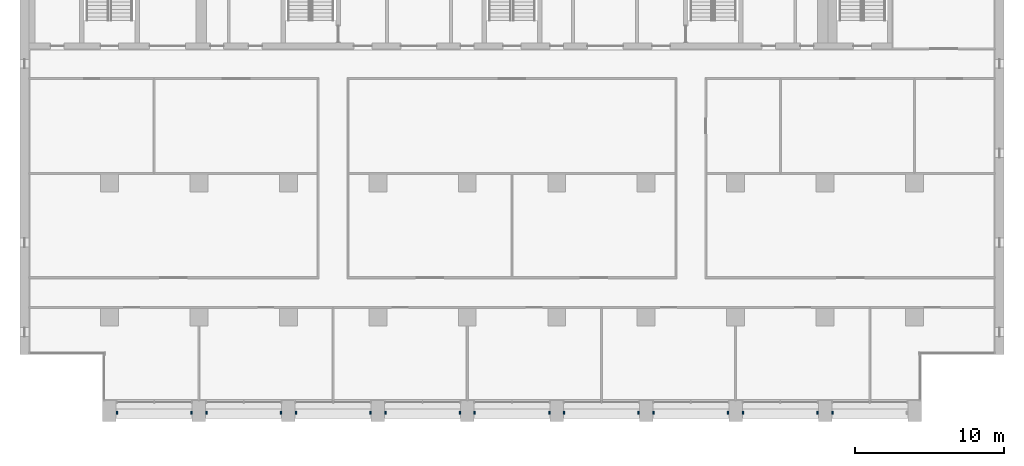
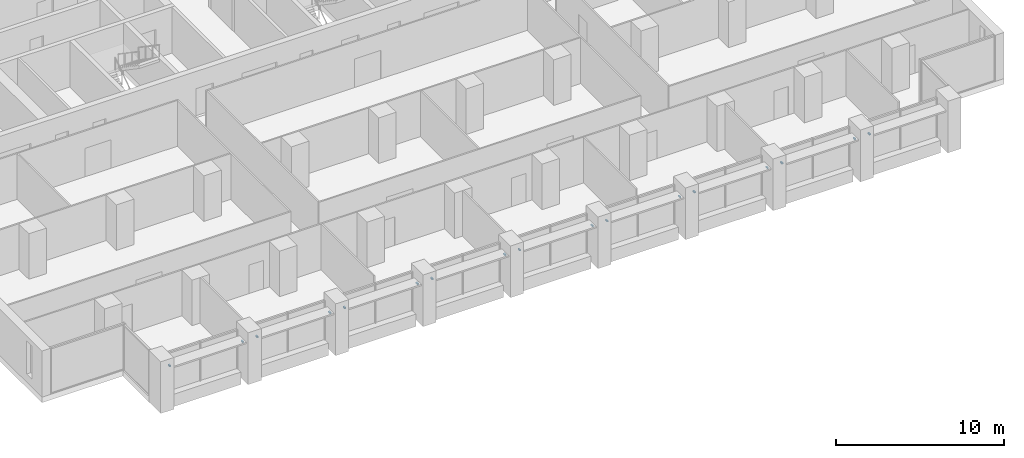
# One storey, part 14 of 17: 17 discrete accessories.
"""IFC4 building model written with IfcOpenShell, lengths in metres."""

from ifc_helpers import new_model, si_unit, direction, frame, origin, origin_2d, place, context, subcontext, project, spatial, rectangle, extrude, element, save


model = new_model("IFC4")

# Units and contexts
model_context = context("Model", 3, precision=1e-05, world=origin(), true_north=direction((0.0, 1.0)))
body_context = subcontext(model_context, "Body", "Model", "MODEL_VIEW")
ifc_project = project(units=[si_unit("LENGTHUNIT", "METRE"), si_unit("AREAUNIT", "SQUARE_METRE"), si_unit("VOLUMEUNIT", "CUBIC_METRE"), si_unit("PLANEANGLEUNIT", "RADIAN"), si_unit("MASSUNIT", "GRAM", prefix="KILO")], contexts=[model_context])

# Site, building, storey
site_placement = place(None, origin())
site = spatial("IfcSite", under=ifc_project, at=site_placement, CompositionType="ELEMENT")
building_placement = place(site_placement, origin())
building = spatial("IfcBuilding", under=site, at=building_placement, Name="Calvaro Tower", CompositionType="ELEMENT")
storey_placement = place(building_placement, frame((0.0, 0.0, 170.5)))
storey = spatial("IfcBuildingStorey", under=building, at=storey_placement, Name="L42", CompositionType="ELEMENT", Elevation=170.5)

# Discrete accessories
for number, where, z_axis, x_axis, name in (
    (1, (12.5, 3.60009765625, 2.349853515625), (0.0, 0.0, 1.0), (1.0, 0.0, 0.0), "Brise-soleil bracket"),
    (2, (17.5, 3.60009765625, 2.349853515625), (0.0, 0.0, 1.0), (1.0, 0.0, 0.0), "Brise-soleil bracket"),
    (3, (18.5, 3.60009765625, 2.349853515625), (0.0, 0.0, 1.0), (1.0, 0.0, 0.0), "Brise-soleil bracket"),
    (4, (23.5, 3.60009765625, 2.349853515625), (0.0, 0.0, 1.0), (1.0, 0.0, 0.0), "Brise-soleil bracket"),
    (5, (24.5, 3.60009765625, 2.349853515625), (0.0, 0.0, 1.0), (1.0, 0.0, 0.0), "Brise-soleil bracket"),
    (6, (29.5, 3.60009765625, 2.349853515625), (0.0, 0.0, 1.0), (1.0, 0.0, 0.0), "Brise-soleil bracket"),
    (7, (30.5, 3.60009765625, 2.349853515625), (0.0, 0.0, 1.0), (1.0, 0.0, 0.0), "Brise-soleil bracket"),
    (8, (35.5, 3.60009765625, 2.349853515625), (0.0, 0.0, 1.0), (1.0, 0.0, 0.0), "Brise-soleil bracket"),
    (9, (36.5, 3.60009765625, 2.349853515625), (0.0, 0.0, 1.0), (1.0, 0.0, 0.0), "Brise-soleil bracket"),
    (10, (41.5, 3.60009765625, 2.349853515625), (0.0, 0.0, 1.0), (1.0, 0.0, 0.0), "Brise-soleil bracket"),
    (11, (42.5, 3.60009765625, 2.349853515625), (0.0, 0.0, 1.0), (1.0, 0.0, 0.0), "Brise-soleil bracket"),
    (12, (47.5, 3.60009765625, 2.349853515625), (0.0, 0.0, 1.0), (1.0, 0.0, 0.0), "Brise-soleil bracket"),
    (13, (48.5, 3.60009765625, 2.349853515625), (0.0, 0.0, 1.0), (1.0, 0.0, 0.0), "Brise-soleil bracket"),
    (14, (53.5, 3.60009765625, 2.349853515625), (0.0, 0.0, 1.0), (1.0, 0.0, 0.0), "Brise-soleil bracket"),
    (15, (54.5, 3.60009765625, 2.349853515625), (0.0, 0.0, 1.0), (1.0, 0.0, 0.0), "Brise-soleil bracket"),
    (16, (59.5, 3.60009765625, 2.349853515625), (0.0, 0.0, 1.0), (1.0, 0.0, 0.0), "Brise-soleil bracket"),
    (17, (60.5, 3.60009765625, 2.349853515625), (0.0, 0.0, 1.0), (1.0, 0.0, 0.0), "Brise-soleil bracket"),
):
    element("IfcDiscreteAccessory", number, at=place(storey_placement, frame(where, z_axis=z_axis, x_axis=x_axis)), inside=storey, Name=name, PredefinedType="BRACKET", context=body_context, shape_type="SweptSolid", body=[
        extrude(rectangle(XDim=0.10009765625, YDim=0.199951171875, at=origin_2d()), origin(), (0.0, 0.0, 1.0), 0.10009765625),
    ])

save(model, "model.ifc")
